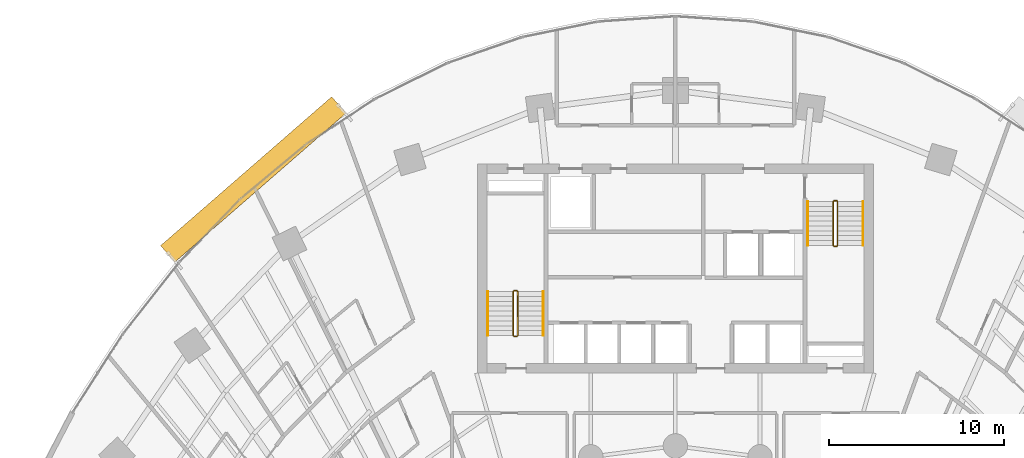
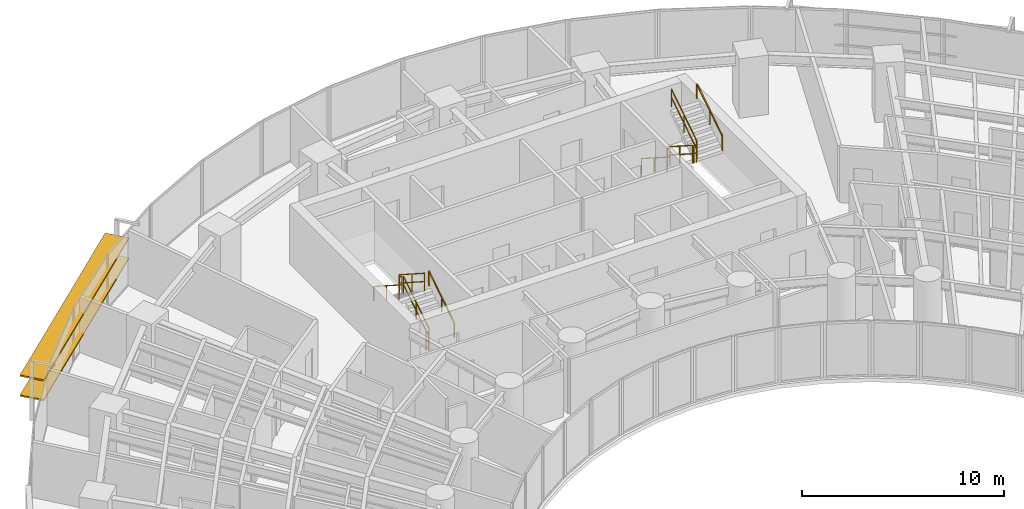
# One storey, part 17 of 18: 12 railings, 2 shading devices.
"""IFC4 building model written with IfcOpenShell, lengths in metres."""

from ifc_helpers import new_model, si_unit, direction, frame, origin, origin_2d, place, context, subcontext, project, spatial, rectangle, extrude, source, transform, mapped, material, material_profile, profile_set, type_object, type_shapes, element, save


model = new_model("IFC4")

# Units and contexts
model_context = context("Model", 3, precision=1e-05, world=origin(), true_north=direction((0.0, 1.0)))
body_context = subcontext(model_context, "Body", "Model", "MODEL_VIEW")
ifc_project = project(units=[si_unit("LENGTHUNIT", "METRE"), si_unit("AREAUNIT", "SQUARE_METRE"), si_unit("VOLUMEUNIT", "CUBIC_METRE"), si_unit("PLANEANGLEUNIT", "RADIAN"), si_unit("MASSUNIT", "GRAM", prefix="KILO")], contexts=[model_context])

# Site, building, storey
site_placement = place(None, origin())
site = spatial("IfcSite", under=ifc_project, at=site_placement, CompositionType="ELEMENT")
building_placement = place(site_placement, origin())
building = spatial("IfcBuilding", under=site, at=building_placement, Name="Breltana Convention Tower", CompositionType="ELEMENT")
storey_placement = place(building_placement, frame((0.0, 0.0, 35.39990234375)))
storey = spatial("IfcBuildingStorey", under=building, at=storey_placement, Name="L06", CompositionType="ELEMENT", Elevation=35.39990234375)

# Railings
ifc_material_1 = material(Name="Steel S275 Painted", Category="steel")
railing_type_1 = type_object("IfcRailingType", Name="RL-STAIR-GUARD-1100", PredefinedType="GUARDRAIL", material=ifc_material_1)
railing_1_placement = place(storey_placement, frame((38.9599609375, 62.360107421875, 0.18017578125)))
element("IfcRailing", 1, at=railing_1_placement, inside=storey, type_object=railing_type_1, Name="L06 ST-1 stair guard 1", PredefinedType="GUARDRAIL", context=body_context, shape_type="SweptSolid", body=[
    extrude(rectangle(XDim=0.048095703125, YDim=0.048095703125, at=origin_2d()), frame((0.0, 0.0, 1.076171875), z_axis=(0.0, 0.841175827307, 0.540761710511), x_axis=(-1.0, 0.0, 0.0)), (0.0, 0.0, 1.0), 2.99560546875),
    extrude(rectangle(XDim=0.048095703125, YDim=0.048095703125, at=origin_2d()), frame((0.0, 0.0, 0.572021484375), z_axis=(0.0, 0.841175827307, 0.540761710511), x_axis=(-1.0, 0.0, 0.0)), (0.0, 0.0, 1.0), 2.99560546875),
    extrude(rectangle(XDim=0.0419921875, YDim=0.0419921875, at=origin_2d()), origin(), (0.0, 0.0, 1.0), 1.052001953125),
    extrude(rectangle(XDim=0.0419921875, YDim=0.0419921875, at=origin_2d()), frame((0.0, 1.259765625, 0.81005859375)), (0.0, 0.0, 1.0), 1.052001953125),
    extrude(rectangle(XDim=0.0419921875, YDim=0.0419921875, at=origin_2d()), frame((0.0, 2.519775390625, 1.619873046875)), (0.0, 0.0, 1.0), 1.052001953125),
])
railing_2_placement = place(storey_placement, frame((38.909912109375, 64.929931640625, 1.800048828125)))
element("IfcRailing", 2, at=railing_2_placement, inside=storey, type_object=railing_type_1, Name="L06 ST-1 stair guard 2", PredefinedType="GUARDRAIL", context=body_context, shape_type="SweptSolid", body=[
    extrude(rectangle(XDim=0.048095703125, YDim=0.048095703125, at=origin_2d()), frame((0.0, 0.0, 1.076171875), z_axis=(-1.0, 0.0, 0.0), x_axis=(0.0, -1.0, 0.0)), (0.0, 0.0, 1.0), 0.14990234375),
    extrude(rectangle(XDim=0.048095703125, YDim=0.048095703125, at=origin_2d()), frame((0.0, 0.0, 0.572021484375), z_axis=(-1.0, 0.0, 0.0), x_axis=(0.0, -1.0, 0.0)), (0.0, 0.0, 1.0), 0.14990234375),
    extrude(rectangle(XDim=0.0419921875, YDim=0.0419921875, at=origin_2d()), origin(), (0.0, 0.0, 1.0), 1.052001953125),
    extrude(rectangle(XDim=0.0419921875, YDim=0.0419921875, at=origin_2d()), frame((-0.14990234375, 0.0, 0.0)), (0.0, 0.0, 1.0), 1.052001953125),
])
railing_3_placement = place(storey_placement, frame((38.7099609375, 64.8798828125, 1.97998046875)))
element("IfcRailing", 3, at=railing_3_placement, inside=storey, type_object=railing_type_1, Name="L06 ST-1 stair guard 3", PredefinedType="GUARDRAIL", context=body_context, shape_type="SweptSolid", body=[
    extrude(rectangle(XDim=0.048095703125, YDim=0.048095703125, at=origin_2d()), frame((0.0, 0.0, 1.076171875), z_axis=(0.0, -0.841138753965, 0.540819375188), x_axis=(1.0, 0.0, 0.0)), (0.0, 0.0, 1.0), 2.99560546875),
    extrude(rectangle(XDim=0.048095703125, YDim=0.048095703125, at=origin_2d()), frame((0.0, 0.0, 0.572021484375), z_axis=(0.0, -0.841138753965, 0.540819375188), x_axis=(1.0, 0.0, 0.0)), (0.0, 0.0, 1.0), 2.99560546875),
    extrude(rectangle(XDim=0.0419921875, YDim=0.0419921875, at=origin_2d()), origin(), (0.0, 0.0, 1.0), 1.052001953125),
    extrude(rectangle(XDim=0.0419921875, YDim=0.0419921875, at=origin_2d()), frame((0.0, -1.259765625, 0.81005859375)), (0.0, 0.0, 1.0), 1.052001953125),
    extrude(rectangle(XDim=0.0419921875, YDim=0.0419921875, at=origin_2d()), frame((0.0, -2.519775390625, 1.6201171875)), (0.0, 0.0, 1.0), 1.052001953125),
])
railing_4_placement = place(storey_placement, frame((38.909912109375, 62.31005859375, 0.0)))
element("IfcRailing", 4, at=railing_4_placement, inside=storey, type_object=railing_type_1, Name="L06 ST-1 stair guard 4", PredefinedType="GUARDRAIL", context=body_context, shape_type="SweptSolid", body=[
    extrude(rectangle(XDim=0.048095703125, YDim=0.048095703125, at=origin_2d()), frame((0.0, 0.0, 1.076171875), z_axis=(-1.0, 0.0, 0.0), x_axis=(0.0, -1.0, 0.0)), (0.0, 0.0, 1.0), 0.14990234375),
    extrude(rectangle(XDim=0.048095703125, YDim=0.048095703125, at=origin_2d()), frame((0.0, 0.0, 0.572021484375), z_axis=(-1.0, 0.0, 0.0), x_axis=(0.0, -1.0, 0.0)), (0.0, 0.0, 1.0), 0.14990234375),
    extrude(rectangle(XDim=0.0419921875, YDim=0.0419921875, at=origin_2d()), origin(), (0.0, 0.0, 1.0), 1.052001953125),
    extrude(rectangle(XDim=0.0419921875, YDim=0.0419921875, at=origin_2d()), frame((-0.14990234375, 0.0, 0.0)), (0.0, 0.0, 1.0), 1.052001953125),
])
railing_5_placement = place(storey_placement, frame((57.0400390625, 70.0400390625, 0.18017578125)))
element("IfcRailing", 5, at=railing_5_placement, inside=storey, type_object=railing_type_1, Name="L06 ST-2 stair guard 1", PredefinedType="GUARDRAIL", context=body_context, shape_type="SweptSolid", body=[
    extrude(rectangle(XDim=0.048095703125, YDim=0.048095703125, at=origin_2d()), frame((0.0, 0.0, 1.076171875), z_axis=(0.0, -0.841199657755, 0.540724639528), x_axis=(1.0, 0.0, 0.0)), (0.0, 0.0, 1.0), 2.995849609375),
    extrude(rectangle(XDim=0.048095703125, YDim=0.048095703125, at=origin_2d()), frame((0.0, 0.0, 0.572021484375), z_axis=(0.0, -0.841199657755, 0.540724639528), x_axis=(1.0, 0.0, 0.0)), (0.0, 0.0, 1.0), 2.995849609375),
    extrude(rectangle(XDim=0.0419921875, YDim=0.0419921875, at=origin_2d()), origin(), (0.0, 0.0, 1.0), 1.052001953125),
    extrude(rectangle(XDim=0.0419921875, YDim=0.0419921875, at=origin_2d()), frame((0.0, -1.260009765625, 0.81005859375)), (0.0, 0.0, 1.0), 1.052001953125),
    extrude(rectangle(XDim=0.0419921875, YDim=0.0419921875, at=origin_2d()), frame((0.0, -2.52001953125, 1.619873046875)), (0.0, 0.0, 1.0), 1.052001953125),
])
railing_6_placement = place(storey_placement, frame((57.090087890625, 67.469970703125, 1.800048828125)))
element("IfcRailing", 6, at=railing_6_placement, inside=storey, type_object=railing_type_1, Name="L06 ST-2 stair guard 2", PredefinedType="GUARDRAIL", context=body_context, shape_type="SweptSolid", body=[
    extrude(rectangle(XDim=0.048095703125, YDim=0.048095703125, at=origin_2d()), frame((0.0, 0.0, 1.076171875), z_axis=(1.0, 0.0, 0.0), x_axis=(0.0, 1.0, 0.0)), (0.0, 0.0, 1.0), 0.14990234375),
    extrude(rectangle(XDim=0.048095703125, YDim=0.048095703125, at=origin_2d()), frame((0.0, 0.0, 0.572021484375), z_axis=(1.0, 0.0, 0.0), x_axis=(0.0, 1.0, 0.0)), (0.0, 0.0, 1.0), 0.14990234375),
    extrude(rectangle(XDim=0.0419921875, YDim=0.0419921875, at=origin_2d()), origin(), (0.0, 0.0, 1.0), 1.052001953125),
    extrude(rectangle(XDim=0.0419921875, YDim=0.0419921875, at=origin_2d()), frame((0.14990234375, 0.0, 0.0)), (0.0, 0.0, 1.0), 1.052001953125),
])
railing_7_placement = place(storey_placement, frame((57.2900390625, 67.52001953125, 1.97998046875)))
element("IfcRailing", 7, at=railing_7_placement, inside=storey, type_object=railing_type_1, Name="L06 ST-2 stair guard 3", PredefinedType="GUARDRAIL", context=body_context, shape_type="SweptSolid", body=[
    extrude(rectangle(XDim=0.048095703125, YDim=0.048095703125, at=origin_2d()), frame((0.0, 0.0, 1.076171875), z_axis=(0.0, 0.841162588446, 0.540782303519), x_axis=(-1.0, 0.0, 0.0)), (0.0, 0.0, 1.0), 2.995849609375),
    extrude(rectangle(XDim=0.048095703125, YDim=0.048095703125, at=origin_2d()), frame((0.0, 0.0, 0.572021484375), z_axis=(0.0, 0.841162588446, 0.540782303519), x_axis=(-1.0, 0.0, 0.0)), (0.0, 0.0, 1.0), 2.995849609375),
    extrude(rectangle(XDim=0.0419921875, YDim=0.0419921875, at=origin_2d()), origin(), (0.0, 0.0, 1.0), 1.052001953125),
    extrude(rectangle(XDim=0.0419921875, YDim=0.0419921875, at=origin_2d()), frame((0.0, 1.260009765625, 0.81005859375)), (0.0, 0.0, 1.0), 1.052001953125),
    extrude(rectangle(XDim=0.0419921875, YDim=0.0419921875, at=origin_2d()), frame((0.0, 2.52001953125, 1.6201171875)), (0.0, 0.0, 1.0), 1.052001953125),
])
railing_8_placement = place(storey_placement, frame((57.090087890625, 70.090087890625, 0.0)))
element("IfcRailing", 8, at=railing_8_placement, inside=storey, type_object=railing_type_1, Name="L06 ST-2 stair guard 4", PredefinedType="GUARDRAIL", context=body_context, shape_type="SweptSolid", body=[
    extrude(rectangle(XDim=0.048095703125, YDim=0.048095703125, at=origin_2d()), frame((0.0, 0.0, 1.076171875), z_axis=(1.0, 0.0, 0.0), x_axis=(0.0, 1.0, 0.0)), (0.0, 0.0, 1.0), 0.14990234375),
    extrude(rectangle(XDim=0.048095703125, YDim=0.048095703125, at=origin_2d()), frame((0.0, 0.0, 0.572021484375), z_axis=(1.0, 0.0, 0.0), x_axis=(0.0, 1.0, 0.0)), (0.0, 0.0, 1.0), 0.14990234375),
    extrude(rectangle(XDim=0.0419921875, YDim=0.0419921875, at=origin_2d()), origin(), (0.0, 0.0, 1.0), 1.052001953125),
    extrude(rectangle(XDim=0.0419921875, YDim=0.0419921875, at=origin_2d()), frame((0.14990234375, 0.0, 0.0)), (0.0, 0.0, 1.0), 1.052001953125),
])
ifc_material_2 = material(Name="Stainless Steel 316L", Category="steel")
railing_type_2 = type_object("IfcRailingType", Name="RL-STAIR-HANDRAIL-900", PredefinedType="HANDRAIL", material=ifc_material_2)
railing_9_placement = place(storey_placement, frame((40.419921875, 62.360107421875, 0.18017578125)))
element("IfcRailing", 9, at=railing_9_placement, inside=storey, type_object=railing_type_2, Name="L06 ST-1 stair handrail 1", PredefinedType="HANDRAIL", context=body_context, shape_type="SweptSolid", body=[
    extrude(rectangle(XDim=0.048095703125, YDim=0.048095703125, at=origin_2d()), frame((0.0, 0.0, 0.8759765625), z_axis=(0.0, 0.841175827307, 0.540761710511), x_axis=(-1.0, 0.0, 0.0)), (0.0, 0.0, 1.0), 2.99560546875),
    extrude(rectangle(XDim=0.0419921875, YDim=0.0419921875, at=origin_2d()), origin(), (0.0, 0.0, 1.0), 0.851806640625),
    extrude(rectangle(XDim=0.0419921875, YDim=0.0419921875, at=origin_2d()), frame((0.0, 1.259765625, 0.81005859375)), (0.0, 0.0, 1.0), 0.851806640625),
    extrude(rectangle(XDim=0.0419921875, YDim=0.0419921875, at=origin_2d()), frame((0.0, 2.519775390625, 1.619873046875)), (0.0, 0.0, 1.0), 0.851806640625),
])
railing_10_placement = place(storey_placement, frame((37.25, 64.8798828125, 1.97998046875)))
element("IfcRailing", 10, at=railing_10_placement, inside=storey, type_object=railing_type_2, Name="L06 ST-1 stair handrail 2", PredefinedType="HANDRAIL", context=body_context, shape_type="SweptSolid", body=[
    extrude(rectangle(XDim=0.048095703125, YDim=0.048095703125, at=origin_2d()), frame((0.0, 0.0, 0.8759765625), z_axis=(0.0, -0.841138753965, 0.540819375188), x_axis=(1.0, 0.0, 0.0)), (0.0, 0.0, 1.0), 2.99560546875),
    extrude(rectangle(XDim=0.0419921875, YDim=0.0419921875, at=origin_2d()), origin(), (0.0, 0.0, 1.0), 0.851806640625),
    extrude(rectangle(XDim=0.0419921875, YDim=0.0419921875, at=origin_2d()), frame((0.0, -1.259765625, 0.81005859375)), (0.0, 0.0, 1.0), 0.851806640625),
    extrude(rectangle(XDim=0.0419921875, YDim=0.0419921875, at=origin_2d()), frame((0.0, -2.519775390625, 1.6201171875)), (0.0, 0.0, 1.0), 0.851806640625),
])
railing_11_placement = place(storey_placement, frame((55.580078125, 70.0400390625, 0.18017578125)))
element("IfcRailing", 11, at=railing_11_placement, inside=storey, type_object=railing_type_2, Name="L06 ST-2 stair handrail 1", PredefinedType="HANDRAIL", context=body_context, shape_type="SweptSolid", body=[
    extrude(rectangle(XDim=0.048095703125, YDim=0.048095703125, at=origin_2d()), frame((0.0, 0.0, 0.8759765625), z_axis=(0.0, -0.841199657755, 0.540724639528), x_axis=(1.0, 0.0, 0.0)), (0.0, 0.0, 1.0), 2.995849609375),
    extrude(rectangle(XDim=0.0419921875, YDim=0.0419921875, at=origin_2d()), origin(), (0.0, 0.0, 1.0), 0.851806640625),
    extrude(rectangle(XDim=0.0419921875, YDim=0.0419921875, at=origin_2d()), frame((0.0, -1.260009765625, 0.81005859375)), (0.0, 0.0, 1.0), 0.851806640625),
    extrude(rectangle(XDim=0.0419921875, YDim=0.0419921875, at=origin_2d()), frame((0.0, -2.52001953125, 1.619873046875)), (0.0, 0.0, 1.0), 0.851806640625),
])
railing_12_placement = place(storey_placement, frame((58.75, 67.52001953125, 1.97998046875)))
element("IfcRailing", 12, at=railing_12_placement, inside=storey, type_object=railing_type_2, Name="L06 ST-2 stair handrail 2", PredefinedType="HANDRAIL", context=body_context, shape_type="SweptSolid", body=[
    extrude(rectangle(XDim=0.048095703125, YDim=0.048095703125, at=origin_2d()), frame((0.0, 0.0, 0.8759765625), z_axis=(0.0, 0.841162588446, 0.540782303519), x_axis=(-1.0, 0.0, 0.0)), (0.0, 0.0, 1.0), 2.995849609375),
    extrude(rectangle(XDim=0.0419921875, YDim=0.0419921875, at=origin_2d()), origin(), (0.0, 0.0, 1.0), 0.851806640625),
    extrude(rectangle(XDim=0.0419921875, YDim=0.0419921875, at=origin_2d()), frame((0.0, 1.260009765625, 0.81005859375)), (0.0, 0.0, 1.0), 0.851806640625),
    extrude(rectangle(XDim=0.0419921875, YDim=0.0419921875, at=origin_2d()), frame((0.0, 2.52001953125, 1.6201171875)), (0.0, 0.0, 1.0), 0.851806640625),
])

# Shading devices
ifc_material_3 = material(Name="Limestone Warm Buff Honed", Category="masonry")
ifc_material_profile = material_profile(ifc_material_3, rectangle(XDim=1.25, YDim=0.090087890625, at=origin_2d()), Name="STN-LVR-1250X90")
ifc_profile_set = profile_set([ifc_material_profile], Name="Limestone Warm Buff Honed")
shading_device_type = type_object("IfcShadingDeviceType", Name="SHD-OUTER-SKIN-LIMESTONE-1250", PredefinedType="JALOUSIE", material=ifc_profile_set)
shared_shape = source(origin(), body_context, "Body", "SweptSolid", [
    extrude(rectangle(XDim=1.25, YDim=0.090087890625, at=origin_2d()), origin(), (0.0, 0.0, 1.0), 12.99462890625),
])
type_shapes(shading_device_type, [shared_shape])
for number, where, z_axis, x_axis, name in (
    (13, (18.9130859375, 67.039794921875, 1.209716796875), (0.754353477941, 0.656468453407, 0.0), (-0.656468453407, 0.754353477941, 0.0), "L06 outer skin warm limestone louvre 1.1"),
    (14, (18.9130859375, 67.039794921875, 2.419189453125), (0.754353477941, 0.656468453407, 0.0), (-0.656468453407, 0.754353477941, 0.0), "L06 outer skin warm limestone louvre 1.2"),
):
    element("IfcShadingDevice", number, at=place(storey_placement, frame(where, z_axis=z_axis, x_axis=x_axis)), inside=storey, type_object=shading_device_type, Name=name, PredefinedType="JALOUSIE", context=body_context, shape_type="MappedRepresentation", body=[
        mapped(shared_shape, transform((0.0, 0.0, 0.0), scale=1.0)),
    ])

save(model, "model.ifc")
